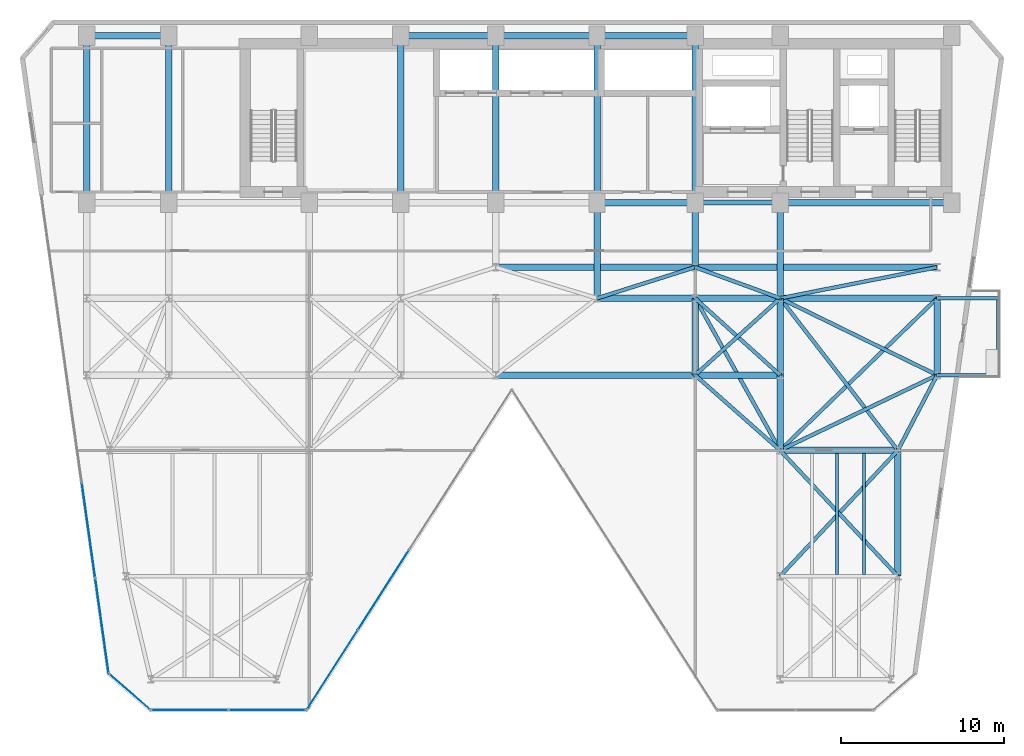
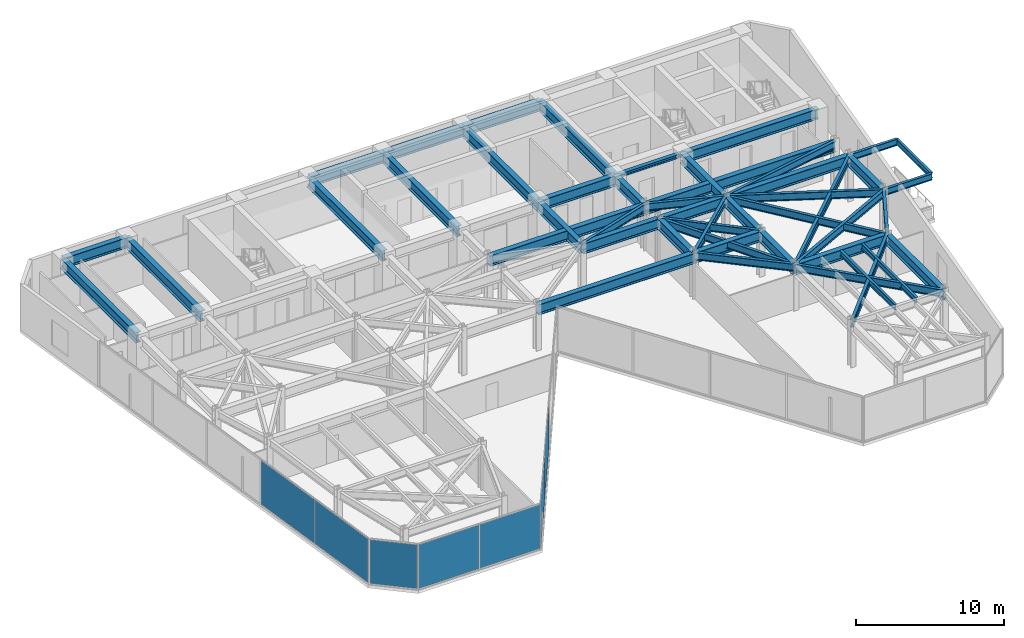
# One storey, part 20 of 26: 48 beams, 7 plates, 4 elements without a shape of their own.
"""IFC4 building model written with IfcOpenShell, lengths in metres."""

from ifc_helpers import new_model, si_unit, direction, frame, origin, origin_2d, place, context, subcontext, project, spatial, rectangle, i_section, extrude, material, layer, layer_set, material_profile, profile_set, type_object, element, aggregate, save


model = new_model("IFC4")

# Units and contexts
model_context = context("Model", 3, precision=1e-05, world=origin(), true_north=direction((0.0, 1.0)))
body_context = subcontext(model_context, "Body", "Model", "MODEL_VIEW")
ifc_project = project(units=[si_unit("LENGTHUNIT", "METRE"), si_unit("AREAUNIT", "SQUARE_METRE"), si_unit("VOLUMEUNIT", "CUBIC_METRE"), si_unit("PLANEANGLEUNIT", "RADIAN"), si_unit("MASSUNIT", "GRAM", prefix="KILO")], contexts=[model_context])

# Site, building, storey
site_placement = place(None, origin())
site = spatial("IfcSite", under=ifc_project, at=site_placement, CompositionType="ELEMENT")
building_placement = place(site_placement, origin())
building = spatial("IfcBuilding", under=site, at=building_placement, Name="Kravanh Interchange Tower", CompositionType="ELEMENT")
storey_placement = place(building_placement, frame((0.0, 0.0, 144.0)))
storey = spatial("IfcBuildingStorey", under=building, at=storey_placement, Name="L34", CompositionType="ELEMENT", Elevation=144.0)

# Beams
ifc_material_1 = material(Name="Structural Steel S355", Category="steel")
ifc_material_profile_1 = material_profile(ifc_material_1, i_section(OverallWidth=0.39990234375, OverallDepth=0.85595703125, WebThickness=0.018310546875, FlangeThickness=0.029296875, FilletRadius=0.02490234375, at=origin_2d()), Name="W33X201")
ifc_profile_set_1 = profile_set([ifc_material_profile_1], Name="Structural Steel S355")
beam_type_1 = type_object("IfcBeamType", Name="Floor Beam W33X201 Structural Steel S355", PredefinedType="BEAM", material=ifc_profile_set_1)
beam_1_placement = place(storey_placement, frame((66.5, 37.35009765625, 3.322021484375), z_axis=(-1.0, 0.0, 0.0), x_axis=(0.0, -1.0, 0.0)))
element("IfcBeam", 1, at=beam_1_placement, inside=storey, type_object=beam_type_1, Name="L34 Primary Floor Girder 5", PredefinedType="BEAM", context=body_context, shape_type="SweptSolid", body=[
    extrude(i_section(OverallWidth=0.39990234375, OverallDepth=0.85595703125, WebThickness=0.018310546875, FlangeThickness=0.029296875, FilletRadius=0.02490234375, at=origin_2d()), origin(), (0.0, 0.0, 1.0), 10.5),
])
beam_2_placement = place(storey_placement, frame((56.0, 37.35009765625, 3.322021484375), z_axis=(0.0, -1.0, 0.0), x_axis=(1.0, 0.0, 0.0)))
element("IfcBeam", 2, at=beam_2_placement, inside=storey, type_object=beam_type_1, Name="L34 Primary Floor Girder 7", PredefinedType="BEAM", context=body_context, shape_type="SweptSolid", body=[
    extrude(i_section(OverallWidth=0.39990234375, OverallDepth=0.85595703125, WebThickness=0.018310546875, FlangeThickness=0.029296875, FilletRadius=0.02490234375, at=origin_2d()), origin(), (0.0, 0.0, 1.0), 5.85009765625),
])
beam_3_placement = place(storey_placement, frame((50.800048828125, 47.550048828125, 3.322021484375), z_axis=(-1.0, 0.0, 0.0), x_axis=(0.0, -1.0, 0.0)))
element("IfcBeam", 3, at=beam_3_placement, inside=storey, type_object=beam_type_1, Name="L34 Primary Floor Girder 8", PredefinedType="BEAM", context=body_context, shape_type="SweptSolid", body=[
    extrude(i_section(OverallWidth=0.39990234375, OverallDepth=0.85595703125, WebThickness=0.018310546875, FlangeThickness=0.029296875, FilletRadius=0.02490234375, at=origin_2d()), origin(), (0.0, 0.0, 1.0), 6.0),
])
beam_4_placement = place(storey_placement, frame((50.800048828125, 47.550048828125, 3.322021484375), z_axis=(0.0, -1.0, 0.0), x_axis=(1.0, 0.0, 0.0)))
element("IfcBeam", 4, at=beam_4_placement, inside=storey, type_object=beam_type_1, Name="L34 Primary Floor Girder 9", PredefinedType="BEAM", context=body_context, shape_type="SweptSolid", body=[
    extrude(i_section(OverallWidth=0.39990234375, OverallDepth=0.85595703125, WebThickness=0.018310546875, FlangeThickness=0.029296875, FilletRadius=0.02490234375, at=origin_2d()), origin(), (0.0, 0.0, 1.0), 10.199951171875),
])
beam_5_placement = place(storey_placement, frame((50.800048828125, 37.35009765625, 3.322021484375), z_axis=(0.0, -1.0, 0.0), x_axis=(1.0, 0.0, 0.0)))
element("IfcBeam", 5, at=beam_5_placement, inside=storey, type_object=beam_type_1, Name="L34 Primary Floor Girder 10", PredefinedType="BEAM", context=body_context, shape_type="SweptSolid", body=[
    extrude(i_section(OverallWidth=0.39990234375, OverallDepth=0.85595703125, WebThickness=0.018310546875, FlangeThickness=0.029296875, FilletRadius=0.02490234375, at=origin_2d()), origin(), (0.0, 0.0, 1.0), 3.9501953125),
])
beam_6_placement = place(storey_placement, frame((50.800048828125, 37.35009765625, 3.322021484375), z_axis=(-1.0, 0.0, 0.0), x_axis=(0.0, -1.0, 0.0)))
element("IfcBeam", 6, at=beam_6_placement, inside=storey, type_object=beam_type_1, Name="L34 Primary Floor Girder 11", PredefinedType="BEAM", context=body_context, shape_type="SweptSolid", body=[
    extrude(i_section(OverallWidth=0.39990234375, OverallDepth=0.85595703125, WebThickness=0.018310546875, FlangeThickness=0.029296875, FilletRadius=0.02490234375, at=origin_2d()), origin(), (0.0, 0.0, 1.0), 6.0),
])
beam_7_placement = place(storey_placement, frame((44.800048828125, 37.35009765625, 3.322021484375), z_axis=(0.0, -1.0, 0.0), x_axis=(1.0, 0.0, 0.0)))
element("IfcBeam", 7, at=beam_7_placement, inside=storey, type_object=beam_type_1, Name="L34 Primary Floor Girder 12", PredefinedType="BEAM", context=body_context, shape_type="SweptSolid", body=[
    extrude(i_section(OverallWidth=0.39990234375, OverallDepth=0.85595703125, WebThickness=0.018310546875, FlangeThickness=0.029296875, FilletRadius=0.02490234375, at=origin_2d()), origin(), (0.0, 0.0, 1.0), 5.85009765625),
])
beam_8_placement = place(storey_placement, frame((44.800048828125, 37.35009765625, 3.322021484375), z_axis=(0.0, 1.0, 0.0), x_axis=(-1.0, 0.0, 0.0)))
element("IfcBeam", 8, at=beam_8_placement, inside=storey, type_object=beam_type_1, Name="L34 Primary Floor Girder 14", PredefinedType="BEAM", context=body_context, shape_type="SweptSolid", body=[
    extrude(i_section(OverallWidth=0.39990234375, OverallDepth=0.85595703125, WebThickness=0.018310546875, FlangeThickness=0.029296875, FilletRadius=0.02490234375, at=origin_2d()), origin(), (0.0, 0.0, 1.0), 10.199951171875),
])
beam_9_placement = place(storey_placement, frame((44.800048828125, 47.550048828125, 3.322021484375), z_axis=(-1.0, 0.0, 0.0), x_axis=(0.0, -1.0, 0.0)))
element("IfcBeam", 9, at=beam_9_placement, inside=storey, type_object=beam_type_1, Name="L34 Primary Floor Girder 15", PredefinedType="BEAM", context=body_context, shape_type="SweptSolid", body=[
    extrude(i_section(OverallWidth=0.39990234375, OverallDepth=0.85595703125, WebThickness=0.018310546875, FlangeThickness=0.029296875, FilletRadius=0.02490234375, at=origin_2d()), origin(), (0.0, 0.0, 1.0), 6.199951171875),
])
beam_10_placement = place(storey_placement, frame((38.60009765625, 37.35009765625, 3.322021484375), z_axis=(0.0, 1.0, 0.0), x_axis=(-1.0, 0.0, 0.0)))
element("IfcBeam", 10, at=beam_10_placement, inside=storey, type_object=beam_type_1, Name="L34 Primary Floor Girder 18", PredefinedType="BEAM", context=body_context, shape_type="SweptSolid", body=[
    extrude(i_section(OverallWidth=0.39990234375, OverallDepth=0.85595703125, WebThickness=0.018310546875, FlangeThickness=0.029296875, FilletRadius=0.02490234375, at=origin_2d()), origin(), (0.0, 0.0, 1.0), 10.199951171875),
])
beam_11_placement = place(storey_placement, frame((38.60009765625, 47.550048828125, 3.322021484375), z_axis=(-1.0, 0.0, 0.0), x_axis=(0.0, -1.0, 0.0)))
element("IfcBeam", 11, at=beam_11_placement, inside=storey, type_object=beam_type_1, Name="L34 Primary Floor Girder 19", PredefinedType="BEAM", context=body_context, shape_type="SweptSolid", body=[
    extrude(i_section(OverallWidth=0.39990234375, OverallDepth=0.85595703125, WebThickness=0.018310546875, FlangeThickness=0.029296875, FilletRadius=0.02490234375, at=origin_2d()), origin(), (0.0, 0.0, 1.0), 5.800048828125),
])
for number, where, z_axis, x_axis, name in (
    (12, (32.800048828125, 37.35009765625, 3.322021484375), (0.0, 1.0, 0.0), (-1.0, 0.0, 0.0), "L34 Primary Floor Girder 22"),
    (13, (18.60009765625, 37.35009765625, 3.322021484375), (0.0, 1.0, 0.0), (-1.0, 0.0, 0.0), "L34 Primary Floor Girder 30"),
):
    element("IfcBeam", number, at=place(storey_placement, frame(where, z_axis=z_axis, x_axis=x_axis)), inside=storey, type_object=beam_type_1, Name=name, PredefinedType="BEAM", context=body_context, shape_type="SweptSolid", body=[
        extrude(i_section(OverallWidth=0.39990234375, OverallDepth=0.85595703125, WebThickness=0.018310546875, FlangeThickness=0.029296875, FilletRadius=0.02490234375, at=origin_2d()), origin(), (0.0, 0.0, 1.0), 10.199951171875),
    ])
beam_12_placement = place(storey_placement, frame((18.60009765625, 47.550048828125, 3.322021484375), z_axis=(-1.0, 0.0, 0.0), x_axis=(0.0, -1.0, 0.0)))
element("IfcBeam", 14, at=beam_12_placement, inside=storey, type_object=beam_type_1, Name="L34 Primary Floor Girder 31", PredefinedType="BEAM", context=body_context, shape_type="SweptSolid", body=[
    extrude(i_section(OverallWidth=0.39990234375, OverallDepth=0.85595703125, WebThickness=0.018310546875, FlangeThickness=0.029296875, FilletRadius=0.02490234375, at=origin_2d()), origin(), (0.0, 0.0, 1.0), 5.0),
])
beam_13_placement = place(storey_placement, frame((13.60009765625, 37.35009765625, 3.322021484375), z_axis=(0.0, 1.0, 0.0), x_axis=(-1.0, 0.0, 0.0)))
element("IfcBeam", 15, at=beam_13_placement, inside=storey, type_object=beam_type_1, Name="L34 Primary Floor Girder 33", PredefinedType="BEAM", context=body_context, shape_type="SweptSolid", body=[
    extrude(i_section(OverallWidth=0.39990234375, OverallDepth=0.85595703125, WebThickness=0.018310546875, FlangeThickness=0.029296875, FilletRadius=0.02490234375, at=origin_2d()), origin(), (0.0, 0.0, 1.0), 10.199951171875),
])
beam_14_placement = place(storey_placement, frame((38.60009765625, 26.800048828125, 3.322021484375), z_axis=(1.0, 0.0, 0.0), x_axis=(0.0, 1.0, 0.0)))
element("IfcBeam", 16, at=beam_14_placement, inside=storey, type_object=beam_type_1, Name="L34 Primary Floor Girder 56", PredefinedType="BEAM", context=body_context, shape_type="SweptSolid", body=[
    extrude(i_section(OverallWidth=0.39990234375, OverallDepth=0.85595703125, WebThickness=0.018310546875, FlangeThickness=0.029296875, FilletRadius=0.02490234375, at=origin_2d()), origin(), (0.0, 0.0, 1.0), 12.199951171875),
])
beam_15_placement = place(storey_placement, frame((50.800048828125, 26.800048828125, 3.322021484375), z_axis=(0.0, 1.0, 0.0), x_axis=(-1.0, 0.0, 0.0)))
element("IfcBeam", 17, at=beam_15_placement, inside=storey, type_object=beam_type_1, Name="L34 Primary Floor Girder 57", PredefinedType="BEAM", context=body_context, shape_type="SweptSolid", body=[
    extrude(i_section(OverallWidth=0.39990234375, OverallDepth=0.85595703125, WebThickness=0.018310546875, FlangeThickness=0.029296875, FilletRadius=0.02490234375, at=origin_2d()), origin(), (0.0, 0.0, 1.0), 4.699951171875),
])
beam_16_placement = place(storey_placement, frame((50.800048828125, 26.800048828125, 3.322021484375), z_axis=(1.0, 0.0, 0.0), x_axis=(0.0, 1.0, 0.0)))
element("IfcBeam", 18, at=beam_16_placement, inside=storey, type_object=beam_type_1, Name="L34 Primary Floor Girder 58", PredefinedType="BEAM", context=body_context, shape_type="SweptSolid", body=[
    extrude(i_section(OverallWidth=0.39990234375, OverallDepth=0.85595703125, WebThickness=0.018310546875, FlangeThickness=0.029296875, FilletRadius=0.02490234375, at=origin_2d()), origin(), (0.0, 0.0, 1.0), 5.199951171875),
])
beam_17_placement = place(storey_placement, frame((56.0, 26.800048828125, 3.322021484375), z_axis=(0.0, -1.0, 0.0), x_axis=(1.0, 0.0, 0.0)))
element("IfcBeam", 19, at=beam_17_placement, inside=storey, type_object=beam_type_1, Name="L34 Primary Floor Girder 61", PredefinedType="BEAM", context=body_context, shape_type="SweptSolid", body=[
    extrude(i_section(OverallWidth=0.39990234375, OverallDepth=0.85595703125, WebThickness=0.018310546875, FlangeThickness=0.029296875, FilletRadius=0.02490234375, at=origin_2d()), origin(), (0.0, 0.0, 1.0), 4.60009765625),
])
for number, where, z_axis, x_axis, name in (
    (20, (56.0, 26.800048828125, 3.322021484375), (0.0, 1.0, 0.0), (-1.0, 0.0, 0.0), "L34 Primary Floor Girder 62"),
    (21, (65.60009765625, 26.800048828125, 3.322021484375), (0.0, 1.0, 0.0), (-1.0, 0.0, 0.0), "L34 Primary Floor Girder 65"),
):
    element("IfcBeam", number, at=place(storey_placement, frame(where, z_axis=z_axis, x_axis=x_axis)), inside=storey, type_object=beam_type_1, Name=name, PredefinedType="BEAM", context=body_context, shape_type="SweptSolid", body=[
        extrude(i_section(OverallWidth=0.39990234375, OverallDepth=0.85595703125, WebThickness=0.018310546875, FlangeThickness=0.029296875, FilletRadius=0.02490234375, at=origin_2d()), origin(), (0.0, 0.0, 1.0), 4.699951171875),
    ])
beam_18_placement = place(storey_placement, frame((44.800048828125, 31.5, 3.322021484375), z_axis=(1.0, 0.0, 0.0), x_axis=(0.0, 1.0, 0.0)))
element("IfcBeam", 22, at=beam_18_placement, inside=storey, type_object=beam_type_1, Name="L34 Primary Floor Girder 83", PredefinedType="BEAM", context=body_context, shape_type="SweptSolid", body=[
    extrude(i_section(OverallWidth=0.39990234375, OverallDepth=0.85595703125, WebThickness=0.018310546875, FlangeThickness=0.029296875, FilletRadius=0.02490234375, at=origin_2d()), origin(), (0.0, 0.0, 1.0), 6.0),
])
beam_19_placement = place(storey_placement, frame((50.800048828125, 31.5, 3.322021484375), z_axis=(1.0, 0.0, 0.0), x_axis=(0.0, 1.0, 0.0)))
element("IfcBeam", 23, at=beam_19_placement, inside=storey, type_object=beam_type_1, Name="L34 Primary Floor Girder 86", PredefinedType="BEAM", context=body_context, shape_type="SweptSolid", body=[
    extrude(i_section(OverallWidth=0.39990234375, OverallDepth=0.85595703125, WebThickness=0.018310546875, FlangeThickness=0.029296875, FilletRadius=0.02490234375, at=origin_2d()), origin(), (0.0, 0.0, 1.0), 5.199951171875),
])
beam_20_placement = place(storey_placement, frame((56.0, 31.5, 3.322021484375), z_axis=(1.0, 0.0, 0.0), x_axis=(0.0, 1.0, 0.0)))
element("IfcBeam", 24, at=beam_20_placement, inside=storey, type_object=beam_type_1, Name="L34 Primary Floor Girder 90", PredefinedType="BEAM", context=body_context, shape_type="SweptSolid", body=[
    extrude(i_section(OverallWidth=0.39990234375, OverallDepth=0.85595703125, WebThickness=0.018310546875, FlangeThickness=0.029296875, FilletRadius=0.02490234375, at=origin_2d()), origin(), (0.0, 0.0, 1.0), 9.60009765625),
])
beam_21_placement = place(storey_placement, frame((63.199951171875, 14.5, 3.322021484375), z_axis=(0.0, 1.0, 0.0), x_axis=(-1.0, 0.0, 0.0)))
element("IfcBeam", 25, at=beam_21_placement, inside=storey, type_object=beam_type_1, Name="L34 Primary Floor Girder 106", PredefinedType="BEAM", context=body_context, shape_type="SweptSolid", body=[
    extrude(i_section(OverallWidth=0.39990234375, OverallDepth=0.85595703125, WebThickness=0.018310546875, FlangeThickness=0.029296875, FilletRadius=0.02490234375, at=origin_2d()), origin(), (0.0, 0.0, 1.0), 7.699951171875),
])
beam_22_placement = place(storey_placement, frame((56.0, 22.199951171875, 3.322021484375), z_axis=(1.0, 0.0, 0.0), x_axis=(0.0, 1.0, 0.0)))
element("IfcBeam", 26, at=beam_22_placement, inside=storey, type_object=beam_type_1, Name="L34 Primary Floor Girder 109", PredefinedType="BEAM", context=body_context, shape_type="SweptSolid", body=[
    extrude(i_section(OverallWidth=0.39990234375, OverallDepth=0.85595703125, WebThickness=0.018310546875, FlangeThickness=0.029296875, FilletRadius=0.02490234375, at=origin_2d()), origin(), (0.0, 0.0, 1.0), 7.199951171875),
])
beam_23_placement = place(storey_placement, frame((38.60009765625, 33.39990234375, 3.322021484375), z_axis=(1.0, 0.0, 0.0), x_axis=(0.0, 1.0, 0.0)))
element("IfcBeam", 27, at=beam_23_placement, inside=storey, type_object=beam_type_1, Name="L34 Primary Floor Girder 111", PredefinedType="BEAM", context=body_context, shape_type="SweptSolid", body=[
    extrude(i_section(OverallWidth=0.39990234375, OverallDepth=0.85595703125, WebThickness=0.018310546875, FlangeThickness=0.029296875, FilletRadius=0.02490234375, at=origin_2d()), origin(), (0.0, 0.0, 1.0), 12.199951171875),
])
beam_24_placement = place(storey_placement, frame((50.800048828125, 33.39990234375, 3.322021484375), z_axis=(1.0, 0.0, 0.0), x_axis=(0.0, 1.0, 0.0)))
element("IfcBeam", 28, at=beam_24_placement, inside=storey, type_object=beam_type_1, Name="L34 Primary Floor Girder 112", PredefinedType="BEAM", context=body_context, shape_type="SweptSolid", body=[
    extrude(i_section(OverallWidth=0.39990234375, OverallDepth=0.85595703125, WebThickness=0.018310546875, FlangeThickness=0.029296875, FilletRadius=0.02490234375, at=origin_2d()), origin(), (0.0, 0.0, 1.0), 14.800048828125),
])
ifc_material_2 = material(Name="Structural Steel S355", Category="steel")
ifc_material_profile_2 = material_profile(ifc_material_2, i_section(OverallWidth=0.18994140625, OverallDepth=0.45703125, WebThickness=0.009033203125, FlangeThickness=0.014404296875, FilletRadius=0.01806640625, at=origin_2d()), Name="W18X50")
ifc_profile_set_2 = profile_set([ifc_material_profile_2], Name="Structural Steel S355")
beam_type_2 = type_object("IfcBeamType", Name="Floor Joist W18X50 Structural Steel S355", PredefinedType="JOIST", material=ifc_profile_set_2)
for number, where, z_axis, x_axis, name in (
    (29, (59.48193359375, 14.60888671875, 3.521484375), (0.0, 1.0, 0.0), (-1.0, 0.0, 0.0), "L34 Secondary Floor Joist 11"),
    (30, (61.134033203125, 14.60888671875, 3.521484375), (0.0, 1.0, 0.0), (-1.0, 0.0, 0.0), "L34 Secondary Floor Joist 12"),
):
    element("IfcBeam", number, at=place(storey_placement, frame(where, z_axis=z_axis, x_axis=x_axis)), inside=storey, type_object=beam_type_2, Name=name, PredefinedType="JOIST", context=body_context, shape_type="SweptSolid", body=[
        extrude(i_section(OverallWidth=0.18994140625, OverallDepth=0.45703125, WebThickness=0.009033203125, FlangeThickness=0.014404296875, FilletRadius=0.01806640625, at=origin_2d()), origin(), (0.0, 0.0, 1.0), 7.39599609375),
    ])
beam_25_placement = place(storey_placement, frame((69.330078125, 26.800048828125, 3.521484375), z_axis=(0.0, 1.0, 0.0), x_axis=(-1.0, 0.0, 0.0)))
element("IfcBeam", 31, at=beam_25_placement, inside=storey, type_object=beam_type_2, Name="L34 Balcony Edge Tie Beam E", PredefinedType="JOIST", context=body_context, shape_type="SweptSolid", body=[
    extrude(i_section(OverallWidth=0.18994140625, OverallDepth=0.45703125, WebThickness=0.009033203125, FlangeThickness=0.014404296875, FilletRadius=0.01806640625, at=origin_2d()), origin(), (0.0, 0.0, 1.0), 4.699951171875),
])
ifc_material_3 = material(Name="Structural Steel S355", Category="steel")
ifc_material_profile_3 = material_profile(ifc_material_3, i_section(OverallWidth=0.304931640625, OverallDepth=0.306884765625, WebThickness=0.010009765625, FlangeThickness=0.015380859375, FilletRadius=0.014892578125, at=origin_2d()), Name="W12X65")
ifc_profile_set_3 = profile_set([ifc_material_profile_3], Name="Structural Steel S355")
beam_type_3 = type_object("IfcBeamType", Name="Floor Lintel W12X65 Structural Steel S355", PredefinedType="LINTEL", material=ifc_profile_set_3)
beam_26_placement = place(storey_placement, frame((50.800048828125, 37.35009765625, 3.596435546875), z_axis=(1.0, 0.0, 0.0), x_axis=(0.0, 1.0, 0.0)))
element("IfcBeam", 32, at=beam_26_placement, inside=storey, type_object=beam_type_3, Name="L34 Core Coupling Lintel 1", PredefinedType="LINTEL", context=body_context, shape_type="SweptSolid", body=[
    extrude(i_section(OverallWidth=0.304931640625, OverallDepth=0.306884765625, WebThickness=0.010009765625, FlangeThickness=0.015380859375, FilletRadius=0.014892578125, at=origin_2d()), origin(), (0.0, 0.0, 1.0), 5.199951171875),
])
ifc_material_4 = material(Name="Structural Steel S355", Category="steel")
ifc_material_profile_4 = material_profile(ifc_material_4, i_section(OverallWidth=0.2099609375, OverallDepth=0.537109375, WebThickness=0.010986328125, FlangeThickness=0.017333984375, FilletRadius=0.02001953125, at=origin_2d()), Name="W21X68")
ifc_profile_set_4 = profile_set([ifc_material_profile_4], Name="Structural Steel S355")
beam_type_4 = type_object("IfcBeamType", Name="Floor Spandrel W21X68 Structural Steel S355", PredefinedType="SPANDREL", material=ifc_profile_set_4)
for number, where, z_axis, x_axis, name in (
    (33, (65.60009765625, 26.800048828125, 3.4814453125), (1.0, 0.0, 0.0), (0.0, 1.0, 0.0), "L34 Balcony Cantilever Outrigger E1"),
    (34, (65.60009765625, 31.5, 3.4814453125), (1.0, 0.0, 0.0), (0.0, 1.0, 0.0), "L34 Balcony Cantilever Outrigger E2"),
):
    element("IfcBeam", number, at=place(storey_placement, frame(where, z_axis=z_axis, x_axis=x_axis)), inside=storey, type_object=beam_type_4, Name=name, PredefinedType="SPANDREL", context=body_context, shape_type="SweptSolid", body=[
        extrude(i_section(OverallWidth=0.2099609375, OverallDepth=0.537109375, WebThickness=0.010986328125, FlangeThickness=0.017333984375, FilletRadius=0.02001953125, at=origin_2d()), origin(), (0.0, 0.0, 1.0), 3.72998046875),
    ])
ifc_material_5 = material(Name="Structural Steel S355", Category="steel")
ifc_material_profile_5 = material_profile(ifc_material_5, i_section(OverallWidth=0.22802734375, OverallDepth=0.60791015625, WebThickness=0.01123046875, FlangeThickness=0.017333984375, FilletRadius=0.02197265625, at=origin_2d()), Name="W24X76")
ifc_profile_set_5 = profile_set([ifc_material_profile_5], Name="Structural Steel S355")
beam_type_5 = type_object("IfcBeamType", Name="Floor Spandrel W24X76 Structural Steel S355", PredefinedType="SPANDREL", material=ifc_profile_set_5)
beam_27_placement = place(storey_placement, frame((50.800048828125, 26.800048828125, 3.446044921875), z_axis=(0.74898649432, -0.662585263439, 0.0), x_axis=(0.662585263439, 0.74898649432, 0.0)))
element("IfcBeam", 35, at=beam_27_placement, inside=storey, type_object=beam_type_5, Name="L34 Perimeter Spandrel 59", PredefinedType="SPANDREL", context=body_context, shape_type="SweptSolid", body=[
    extrude(i_section(OverallWidth=0.22802734375, OverallDepth=0.60791015625, WebThickness=0.01123046875, FlangeThickness=0.017333984375, FilletRadius=0.02197265625, at=origin_2d()), origin(), (0.0, 0.0, 1.0), 6.942626953125),
])
for number, where, z_axis, x_axis, name in (
    (36, (50.800048828125, 26.800048828125, 3.446044921875), (0.741874009795, 0.670539300557, 0.0), (-0.670539300557, 0.741874009795, 0.0), "L34 Perimeter Spandrel 60"),
    (37, (56.0, 26.800048828125, 3.446044921875), (-0.741874009795, 0.670539300557, 0.0), (-0.670539300557, -0.741874009795, 0.0), "L34 Perimeter Spandrel 63"),
):
    element("IfcBeam", number, at=place(storey_placement, frame(where, z_axis=z_axis, x_axis=x_axis)), inside=storey, type_object=beam_type_5, Name=name, PredefinedType="SPANDREL", context=body_context, shape_type="SweptSolid", body=[
        extrude(i_section(OverallWidth=0.22802734375, OverallDepth=0.60791015625, WebThickness=0.01123046875, FlangeThickness=0.017333984375, FilletRadius=0.02197265625, at=origin_2d()), origin(), (0.0, 0.0, 1.0), 7.00927734375),
    ])
beam_28_placement = place(storey_placement, frame((65.60009765625, 26.800048828125, 3.446044921875), z_axis=(-0.462580479178, -0.886577295155, 0.0), x_axis=(0.886577295155, -0.462580479178, 0.0)))
element("IfcBeam", 38, at=beam_28_placement, inside=storey, type_object=beam_type_5, Name="L34 Perimeter Spandrel 66", PredefinedType="SPANDREL", context=body_context, shape_type="SweptSolid", body=[
    extrude(i_section(OverallWidth=0.22802734375, OverallDepth=0.60791015625, WebThickness=0.01123046875, FlangeThickness=0.017333984375, FilletRadius=0.02197265625, at=origin_2d()), origin(), (0.0, 0.0, 1.0), 5.188720703125),
])
beam_29_placement = place(storey_placement, frame((65.60009765625, 26.800048828125, 3.446044921875), z_axis=(-0.901814166789, -0.432124066188, 0.0), x_axis=(0.432124066188, -0.901814166789, 0.0)))
element("IfcBeam", 39, at=beam_29_placement, inside=storey, type_object=beam_type_5, Name="L34 Perimeter Spandrel 67", PredefinedType="SPANDREL", context=body_context, shape_type="SweptSolid", body=[
    extrude(i_section(OverallWidth=0.22802734375, OverallDepth=0.60791015625, WebThickness=0.01123046875, FlangeThickness=0.017333984375, FilletRadius=0.02197265625, at=origin_2d()), origin(), (0.0, 0.0, 1.0), 10.645263671875),
])
beam_30_placement = place(storey_placement, frame((65.60009765625, 26.800048828125, 3.446044921875), z_axis=(-0.898141688387, 0.439706160499, 0.0), x_axis=(-0.439706160499, -0.898141688387, 0.0)))
element("IfcBeam", 40, at=beam_30_placement, inside=storey, type_object=beam_type_5, Name="L34 Perimeter Spandrel 68", PredefinedType="SPANDREL", context=body_context, shape_type="SweptSolid", body=[
    extrude(i_section(OverallWidth=0.22802734375, OverallDepth=0.60791015625, WebThickness=0.01123046875, FlangeThickness=0.017333984375, FilletRadius=0.02197265625, at=origin_2d()), origin(), (0.0, 0.0, 1.0), 10.68896484375),
])
beam_31_placement = place(storey_placement, frame((44.800048828125, 31.5, 3.446044921875), z_axis=(0.953346691051, 0.301877602122, 0.0), x_axis=(-0.301877602122, 0.953346691051, 0.0)))
element("IfcBeam", 41, at=beam_31_placement, inside=storey, type_object=beam_type_5, Name="L34 Perimeter Spandrel 84", PredefinedType="SPANDREL", context=body_context, shape_type="SweptSolid", body=[
    extrude(i_section(OverallWidth=0.22802734375, OverallDepth=0.60791015625, WebThickness=0.01123046875, FlangeThickness=0.017333984375, FilletRadius=0.02197265625, at=origin_2d()), origin(), (0.0, 0.0, 1.0), 6.293701171875),
])
beam_32_placement = place(storey_placement, frame((50.800048828125, 31.5, 3.446044921875), z_axis=(0.488026248114, -0.872828952975, 0.0), x_axis=(0.872828952975, 0.488026248114, 0.0)))
element("IfcBeam", 42, at=beam_32_placement, inside=storey, type_object=beam_type_5, Name="L34 Perimeter Spandrel 87", PredefinedType="SPANDREL", context=body_context, shape_type="SweptSolid", body=[
    extrude(i_section(OverallWidth=0.22802734375, OverallDepth=0.60791015625, WebThickness=0.01123046875, FlangeThickness=0.017333984375, FilletRadius=0.02197265625, at=origin_2d()), origin(), (0.0, 0.0, 1.0), 10.655029296875),
])
beam_33_placement = place(storey_placement, frame((56.0, 31.5, 3.446044921875), z_axis=(-0.93926957103, 0.343180233896, 0.0), x_axis=(-0.343180233896, -0.93926957103, 0.0)))
element("IfcBeam", 43, at=beam_33_placement, inside=storey, type_object=beam_type_5, Name="L34 Perimeter Spandrel 89", PredefinedType="SPANDREL", context=body_context, shape_type="SweptSolid", body=[
    extrude(i_section(OverallWidth=0.22802734375, OverallDepth=0.60791015625, WebThickness=0.01123046875, FlangeThickness=0.017333984375, FilletRadius=0.02197265625, at=origin_2d()), origin(), (0.0, 0.0, 1.0), 5.5361328125),
])
beam_34_placement = place(storey_placement, frame((56.0, 31.5, 3.446044921875), z_axis=(0.980974000807, 0.194139150457, 0.0), x_axis=(-0.194139150457, 0.980974000807, 0.0)))
element("IfcBeam", 44, at=beam_34_placement, inside=storey, type_object=beam_type_5, Name="L34 Perimeter Spandrel 91", PredefinedType="SPANDREL", context=body_context, shape_type="SweptSolid", body=[
    extrude(i_section(OverallWidth=0.22802734375, OverallDepth=0.60791015625, WebThickness=0.01123046875, FlangeThickness=0.017333984375, FilletRadius=0.02197265625, at=origin_2d()), origin(), (0.0, 0.0, 1.0), 9.786376953125),
])
beam_35_placement = place(storey_placement, frame((56.0, 31.5, 3.446044921875), z_axis=(0.612168587637, -0.790727273028, 0.0), x_axis=(0.790727273028, 0.612168587637, 0.0)))
element("IfcBeam", 45, at=beam_35_placement, inside=storey, type_object=beam_type_5, Name="L34 Perimeter Spandrel 92", PredefinedType="SPANDREL", context=body_context, shape_type="SweptSolid", body=[
    extrude(i_section(OverallWidth=0.22802734375, OverallDepth=0.60791015625, WebThickness=0.01123046875, FlangeThickness=0.017333984375, FilletRadius=0.02197265625, at=origin_2d()), origin(), (0.0, 0.0, 1.0), 11.761474609375),
])
beam_36_placement = place(storey_placement, frame((65.60009765625, 31.5, 3.446044921875), z_axis=(-0.718241934329, -0.695793449072, 0.0), x_axis=(0.695793449072, -0.718241934329, 0.0)))
element("IfcBeam", 46, at=beam_36_placement, inside=storey, type_object=beam_type_5, Name="L34 Perimeter Spandrel 94", PredefinedType="SPANDREL", context=body_context, shape_type="SweptSolid", body=[
    extrude(i_section(OverallWidth=0.22802734375, OverallDepth=0.60791015625, WebThickness=0.01123046875, FlangeThickness=0.017333984375, FilletRadius=0.02197265625, at=origin_2d()), origin(), (0.0, 0.0, 1.0), 13.3662109375),
])
for number, where, z_axis, x_axis, name in (
    (47, (56.0, 14.5, 3.446044921875), (0.682993762113, 0.73042420614, 0.0), (-0.73042420614, 0.682993762113, 0.0), "L34 Perimeter Spandrel 105"),
    (48, (63.199951171875, 14.5, 3.446044921875), (-0.682993762113, 0.73042420614, 0.0), (-0.73042420614, -0.682993762113, 0.0), "L34 Perimeter Spandrel 107"),
):
    element("IfcBeam", number, at=place(storey_placement, frame(where, z_axis=z_axis, x_axis=x_axis)), inside=storey, type_object=beam_type_5, Name=name, PredefinedType="SPANDREL", context=body_context, shape_type="SweptSolid", body=[
        extrude(i_section(OverallWidth=0.22802734375, OverallDepth=0.60791015625, WebThickness=0.01123046875, FlangeThickness=0.017333984375, FilletRadius=0.02197265625, at=origin_2d()), origin(), (0.0, 0.0, 1.0), 10.541748046875),
    ])

# Curtain wall, plates
ifc_material_6 = material(Name="Anodised Bronze Aluminium", Category="aluminium")
ifc_layer_1 = layer(ifc_material_6, 0.179931640625)
ifc_layer_set_1 = layer_set([ifc_layer_1], Name="Unitised Curtain Wall System CW-Z2 Mid Office")
curtain_wall_type = type_object("IfcCurtainWallType", Name="Unitised Curtain Wall System CW-Z2 Mid Office", PredefinedType="NOTDEFINED", material=ifc_layer_set_1)
curtain_wall_1_placement = place(storey_placement, origin())
curtain_wall_1 = element("IfcCurtainWall", 49, at=curtain_wall_1_placement, inside=storey, type_object=curtain_wall_type, Name="L34 Unitised Curtain Wall CW-L34-01", PredefinedType="NOTDEFINED")
ifc_material_7 = material(Name="Low-E Laminated Architectural Glass", Category="glass")
ifc_layer_2 = layer(ifc_material_7, 0.02587890625)
ifc_layer_set_2 = layer_set([ifc_layer_2], Name="Solar-Control Double Glazing 26mm")
plate_type = type_object("IfcPlateType", Name="Solar-Control Double Glazing 26mm", PredefinedType="CURTAIN_PANEL", material=ifc_layer_set_2)
plate_1_placement = place(storey_placement, frame((14.524169921875, 11.479736328125, 0.06005859375), z_axis=(0.0, 0.0, 1.0), x_axis=(-0.13917285118, 0.990268103846, 0.0)))
plate_1 = element("IfcPlate", 50, at=plate_1_placement, type_object=plate_type, Name="CW-Z2 panel 1.1", PredefinedType="CURTAIN_PANEL", context=body_context, shape_type="SweptSolid", body=[
    extrude(rectangle(XDim=5.81982421875, YDim=0.02587890625, at=origin_2d()), origin(), (0.0, 0.0, 1.0), 3.6298828125),
])
plate_2_placement = place(storey_placement, frame((13.70361328125, 17.317138671875, 0.06005859375), z_axis=(0.0, 0.0, 1.0), x_axis=(-0.13917285118, 0.990268103846, 0.0)))
plate_2 = element("IfcPlate", 51, at=plate_2_placement, type_object=plate_type, Name="CW-Z2 panel 2.1", PredefinedType="CURTAIN_PANEL", context=body_context, shape_type="SweptSolid", body=[
    extrude(rectangle(XDim=5.849853515625, YDim=0.02587890625, at=origin_2d()), origin(), (0.0, 0.0, 1.0), 3.6298828125),
])
aggregate(curtain_wall_1, [plate_1, plate_2])

curtain_wall_2_placement = place(storey_placement, origin())
curtain_wall_2 = element("IfcCurtainWall", 52, at=curtain_wall_2_placement, inside=storey, type_object=curtain_wall_type, Name="L34 Unitised Curtain Wall CW-L34-05", PredefinedType="NOTDEFINED")
plate_3_placement = place(storey_placement, frame((31.74658203125, 13.6708984375, 0.06005859375), z_axis=(0.0, 0.0, 1.0), x_axis=(-0.539664865919, -0.841879939476, 0.0)))
plate_3 = element("IfcPlate", 53, at=plate_3_placement, type_object=plate_type, Name="CW-Z2 panel 3.1", PredefinedType="CURTAIN_PANEL", context=body_context, shape_type="SweptSolid", body=[
    extrude(rectangle(XDim=5.760986328125, YDim=0.02587890625, at=origin_2d()), origin(), (0.0, 0.0, 1.0), 3.6298828125),
])
plate_4_placement = place(storey_placement, frame((28.61328125, 8.782958984375, 0.06005859375), z_axis=(0.0, 0.0, 1.0), x_axis=(-0.539664865919, -0.841879939476, 0.0)))
plate_4 = element("IfcPlate", 54, at=plate_4_placement, type_object=plate_type, Name="CW-Z2 panel 4.1", PredefinedType="CURTAIN_PANEL", context=body_context, shape_type="SweptSolid", body=[
    extrude(rectangle(XDim=5.73095703125, YDim=0.02587890625, at=origin_2d()), origin(), (0.0, 0.0, 1.0), 3.6298828125),
])
aggregate(curtain_wall_2, [plate_3, plate_4])

curtain_wall_3_placement = place(storey_placement, origin())
curtain_wall_3 = element("IfcCurtainWall", 55, at=curtain_wall_3_placement, inside=storey, type_object=curtain_wall_type, Name="L34 Unitised Curtain Wall CW-L34-06", PredefinedType="NOTDEFINED")
plate_5_placement = place(storey_placement, frame((24.63330078125, 6.320068359375, 0.06005859375), z_axis=(0.0, 0.0, 1.0), x_axis=(-1.0, 0.0, 0.0)))
plate_5 = element("IfcPlate", 56, at=plate_5_placement, type_object=plate_type, Name="CW-Z2 panel 1.1", PredefinedType="CURTAIN_PANEL", context=body_context, shape_type="SweptSolid", body=[
    extrude(rectangle(XDim=4.682373046875, YDim=0.02587890625, at=origin_2d()), origin(), (0.0, 0.0, 1.0), 3.6298828125),
])
plate_6_placement = place(storey_placement, frame((19.890869140625, 6.320068359375, 0.06005859375), z_axis=(0.0, 0.0, 1.0), x_axis=(-1.0, 0.0, 0.0)))
plate_6 = element("IfcPlate", 57, at=plate_6_placement, type_object=plate_type, Name="CW-Z2 panel 2.1", PredefinedType="CURTAIN_PANEL", context=body_context, shape_type="SweptSolid", body=[
    extrude(rectangle(XDim=4.682373046875, YDim=0.02587890625, at=origin_2d()), origin(), (0.0, 0.0, 1.0), 3.6298828125),
])
aggregate(curtain_wall_3, [plate_5, plate_6])

# Curtain wall, plate
curtain_wall_4_placement = place(storey_placement, origin())
curtain_wall_4 = element("IfcCurtainWall", 58, at=curtain_wall_4_placement, inside=storey, type_object=curtain_wall_type, Name="L34 Unitised Curtain Wall CW-L34-07", PredefinedType="NOTDEFINED")
plate_7_placement = place(storey_placement, frame((16.213623046875, 7.429443359375, 0.06005859375), z_axis=(0.0, 0.0, 1.0), x_axis=(-0.754719458103, 0.656047665617, 0.0)))
plate_7 = element("IfcPlate", 59, at=plate_7_placement, type_object=plate_type, Name="CW-Z2 panel 1.1", PredefinedType="CURTAIN_PANEL", context=body_context, shape_type="SweptSolid", body=[
    extrude(rectangle(XDim=3.261962890625, YDim=0.02587890625, at=origin_2d()), origin(), (0.0, 0.0, 1.0), 3.6298828125),
])
aggregate(curtain_wall_4, [plate_7])

save(model, "model.ifc")
